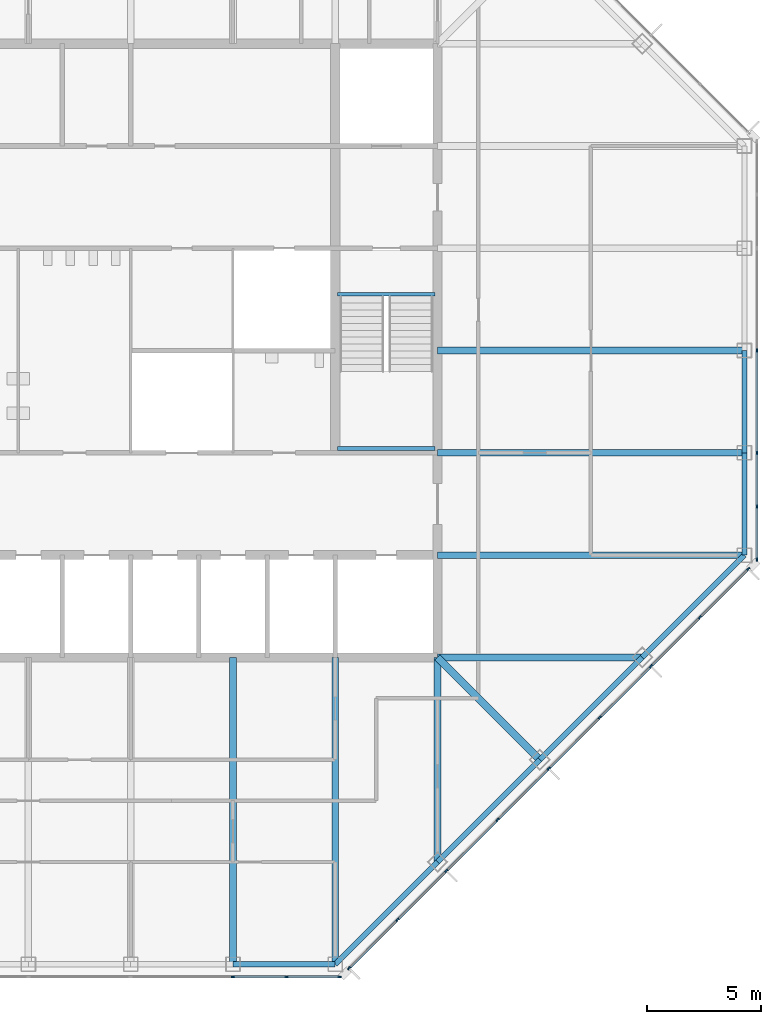
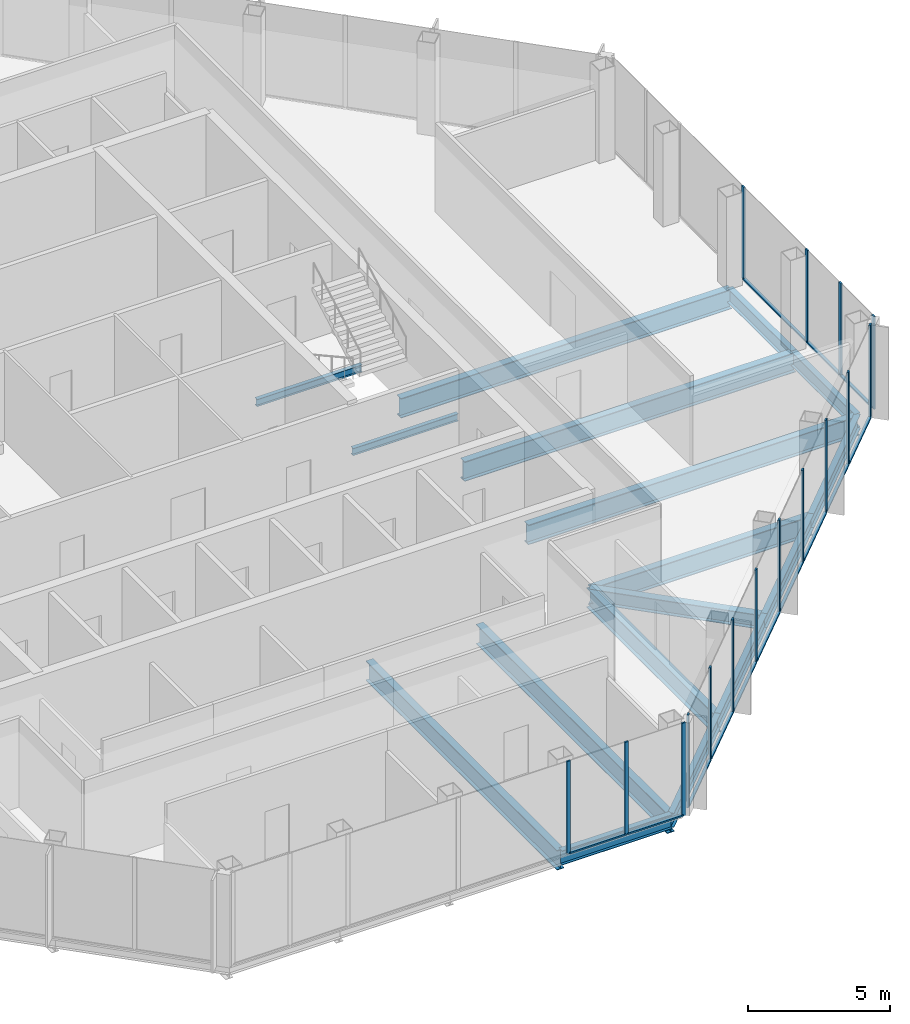
# One storey, part 4 of 14: 29 members, 17 beams, 3 elements without a shape of their own.
"""IFC4 building model written with IfcOpenShell, lengths in metres."""

from ifc_helpers import new_model, si_unit, direction, frame, origin, origin_2d, place, context, subcontext, project, spatial, rectangle, i_section, extrude, material, material_profile, profile_set, type_object, element, aggregate, save


model = new_model("IFC4")

# Units and contexts
model_context = context("Model", 3, precision=1e-05, world=origin(), true_north=direction((0.0, 1.0)))
body_context = subcontext(model_context, "Body", "Model", "MODEL_VIEW")
ifc_project = project(units=[si_unit("LENGTHUNIT", "METRE"), si_unit("AREAUNIT", "SQUARE_METRE"), si_unit("VOLUMEUNIT", "CUBIC_METRE"), si_unit("PLANEANGLEUNIT", "RADIAN"), si_unit("MASSUNIT", "GRAM", prefix="KILO")], contexts=[model_context])

# Site, building, storey
site_placement = place(None, origin())
site = spatial("IfcSite", under=ifc_project, at=site_placement, CompositionType="ELEMENT")
building_placement = place(site_placement, origin())
building = spatial("IfcBuilding", under=site, at=building_placement, Name="Corais Broadcast Tower", CompositionType="ELEMENT")
storey_placement = place(building_placement, frame((0.0, 0.0, 230.60009765625)))
storey = spatial("IfcBuildingStorey", under=building, at=storey_placement, Name="L53", CompositionType="ELEMENT", Elevation=230.60009765625)

# Beams
ifc_material_1 = material(Name="Steel ASTM A572 Grade 50", Category="steel")
ifc_material_profile_1 = material_profile(ifc_material_1, i_section(OverallWidth=0.323974609375, OverallDepth=0.611083984375, WebThickness=0.0126953125, FlangeThickness=0.01904296875, at=origin_2d()), Name="W610x155")
ifc_profile_set_1 = profile_set([ifc_material_profile_1], Name="Steel ASTM A572 Grade 50")
beam_type_1 = type_object("IfcBeamType", Name="Corner diagonal W610x155", PredefinedType="BEAM", material=ifc_profile_set_1)
beam_1_placement = place(storey_placement, frame((45.0, 9.0, -0.465576171875), z_axis=(-0.707106781187, 0.707106781187, 0.0), x_axis=(-0.707106781187, -0.707106781187, 0.0)))
element("IfcBeam", 1, at=beam_1_placement, inside=storey, type_object=beam_type_1, Name="B6 C/13 to D/12", PredefinedType="BEAM", context=body_context, shape_type="SweptSolid", body=[
    extrude(i_section(OverallWidth=0.323974609375, OverallDepth=0.611083984375, WebThickness=0.0126953125, FlangeThickness=0.01904296875, at=origin_2d()), origin(), (0.0, 0.0, 1.0), 6.364013671875),
])
ifc_material_2 = material(Name="Steel ASTM A572 Grade 50", Category="steel")
ifc_material_profile_2 = material_profile(ifc_material_2, i_section(OverallWidth=0.2939453125, OverallDepth=0.85107421875, WebThickness=0.01611328125, FlangeThickness=0.02685546875, at=origin_2d()), Name="W840x226")
ifc_profile_set_2 = profile_set([ifc_material_profile_2], Name="Steel ASTM A572 Grade 50")
beam_type_2 = type_object("IfcBeamType", Name="Floor beam W840x226", PredefinedType="BEAM", material=ifc_profile_set_2)
for number, where, z_axis, x_axis, name in (
    (2, (31.5, 0.0, -0.585693359375), (0.0, 1.0, 0.0), (-1.0, 0.0, 0.0), "B1 A/10 to D/10"),
    (3, (36.0, 0.0, -0.585693359375), (0.0, 1.0, 0.0), (-1.0, 0.0, 0.0), "B1 A/11 to D/11"),
):
    element("IfcBeam", number, at=place(storey_placement, frame(where, z_axis=z_axis, x_axis=x_axis)), inside=storey, type_object=beam_type_2, Name=name, PredefinedType="BEAM", context=body_context, shape_type="SweptSolid", body=[
        extrude(i_section(OverallWidth=0.2939453125, OverallDepth=0.85107421875, WebThickness=0.01611328125, FlangeThickness=0.02685546875, at=origin_2d()), origin(), (0.0, 0.0, 1.0), 13.5),
    ])
for number, where, z_axis, x_axis, name in (
    (4, (40.5, 4.5, -0.585693359375), (0.0, 1.0, 0.0), (-1.0, 0.0, 0.0), "B1 B/12 to D/12"),
    (5, (49.5, 13.5, -0.585693359375), (-1.0, 0.0, 0.0), (0.0, -1.0, 0.0), "B1 D/14 to D/12"),
):
    element("IfcBeam", number, at=place(storey_placement, frame(where, z_axis=z_axis, x_axis=x_axis)), inside=storey, type_object=beam_type_2, Name=name, PredefinedType="BEAM", context=body_context, shape_type="SweptSolid", body=[
        extrude(i_section(OverallWidth=0.2939453125, OverallDepth=0.85107421875, WebThickness=0.01611328125, FlangeThickness=0.02685546875, at=origin_2d()), origin(), (0.0, 0.0, 1.0), 9.0),
    ])
for number, where, z_axis, x_axis, name in (
    (6, (54.0, 18.0, -0.585693359375), (-1.0, 0.0, 0.0), (0.0, -1.0, 0.0), "B1 E/15 to E/12"),
    (7, (54.0, 22.5, -0.585693359375), (-1.0, 0.0, 0.0), (0.0, -1.0, 0.0), "B1 F/15 to F/12"),
    (8, (54.0, 27.0, -0.585693359375), (-1.0, 0.0, 0.0), (0.0, -1.0, 0.0), "B1 G/15 to G/12"),
):
    element("IfcBeam", number, at=place(storey_placement, frame(where, z_axis=z_axis, x_axis=x_axis)), inside=storey, type_object=beam_type_2, Name=name, PredefinedType="BEAM", context=body_context, shape_type="SweptSolid", body=[
        extrude(i_section(OverallWidth=0.2939453125, OverallDepth=0.85107421875, WebThickness=0.01611328125, FlangeThickness=0.02685546875, at=origin_2d()), origin(), (0.0, 0.0, 1.0), 13.5),
    ])
ifc_material_3 = material(Name="Steel ASTM A572 Grade 50", Category="steel")
ifc_material_profile_3 = material_profile(ifc_material_3, i_section(OverallWidth=0.1650390625, OverallDepth=0.31005859375, WebThickness=0.005859375, FlangeThickness=0.009765625, at=origin_2d()), Name="W310x38.7")
ifc_profile_set_3 = profile_set([ifc_material_profile_3], Name="Steel ASTM A572 Grade 50")
beam_type_3 = type_object("IfcBeamType", Name="Landing trimmer W310x38.7", PredefinedType="BEAM", material=ifc_profile_set_3)
for number, where, z_axis, x_axis, name in (
    (9, (36.10009765625, 29.47509765625, -0.35498046875), (1.0, 0.0, 0.0), (0.0, 1.0, 0.0), "LT1 stair B landing trimmer L53"),
    (10, (36.10009765625, 22.68994140625, 1.64501953125), (1.0, 0.0, 0.0), (0.0, 1.0, 0.0), "LT1 stair B half landing trimmer L53"),
):
    element("IfcBeam", number, at=place(storey_placement, frame(where, z_axis=z_axis, x_axis=x_axis)), inside=storey, type_object=beam_type_3, Name=name, PredefinedType="BEAM", context=body_context, shape_type="SweptSolid", body=[
        extrude(i_section(OverallWidth=0.1650390625, OverallDepth=0.31005859375, WebThickness=0.005859375, FlangeThickness=0.009765625, at=origin_2d()), origin(), (0.0, 0.0, 1.0), 4.2998046875),
    ])

# Curtain wall, members
ifc_material_4 = material(Name="Aluminium and glass", Category="aluminium")
curtain_wall_type = type_object("IfcCurtainWallType", Name="Unitised fritted curtain wall CW3", PredefinedType="NOTDEFINED", material=ifc_material_4)
curtain_wall_1_placement = place(storey_placement, origin())
curtain_wall_1 = element("IfcCurtainWall", 11, at=curtain_wall_1_placement, inside=storey, type_object=curtain_wall_type, Name="CW3 curtain wall L53 6", PredefinedType="NOTDEFINED")
ifc_material_5 = material(Name="Aluminium 6063-T6", Category="aluminium")
ifc_material_profile_4 = material_profile(ifc_material_5, rectangle(XDim=0.06494140625, YDim=0.159912109375, at=origin_2d()), Name="Mullion CW3 65x160")
ifc_profile_set_4 = profile_set([ifc_material_profile_4], Name="Aluminium 6063-T6")
member_type_1 = type_object("IfcMemberType", Name="Mullion CW3 65x160", PredefinedType="MULLION", material=ifc_profile_set_4)
member_1_placement = place(storey_placement, frame((54.550048828125, 27.0, 0.0), z_axis=(0.0, 0.0, 1.0), x_axis=(1.0, 0.0, 0.0)))
member_1 = element("IfcMember", 12, at=member_1_placement, type_object=member_type_1, Name="CW3 mullion 4", PredefinedType="MULLION", context=body_context, shape_type="SweptSolid", body=[
    extrude(rectangle(XDim=0.06494140625, YDim=0.159912109375, at=origin_2d()), origin(), (0.0, 0.0, 1.0), 4.0),
])
member_2_placement = place(storey_placement, frame((54.550048828125, 22.5, 0.0), z_axis=(0.0, 0.0, 1.0), x_axis=(1.0, 0.0, 0.0)))
member_2 = element("IfcMember", 13, at=member_2_placement, type_object=member_type_1, Name="CW3 mullion 5", PredefinedType="MULLION", context=body_context, shape_type="SweptSolid", body=[
    extrude(rectangle(XDim=0.06494140625, YDim=0.159912109375, at=origin_2d()), origin(), (0.0, 0.0, 1.0), 4.0),
])
member_3_placement = place(storey_placement, frame((54.550048828125, 20.135986328125, 0.0), z_axis=(0.0, 0.0, 1.0), x_axis=(1.0, 0.0, 0.0)))
member_3 = element("IfcMember", 14, at=member_3_placement, type_object=member_type_1, Name="CW3 mullion 6", PredefinedType="MULLION", context=body_context, shape_type="SweptSolid", body=[
    extrude(rectangle(XDim=0.06494140625, YDim=0.159912109375, at=origin_2d()), origin(), (0.0, 0.0, 1.0), 4.0),
])
member_4_placement = place(storey_placement, frame((54.550048828125, 17.8046875, 0.0), z_axis=(0.0, 0.0, 1.0), x_axis=(1.0, 0.0, 0.0)))
member_4 = element("IfcMember", 15, at=member_4_placement, type_object=member_type_1, Name="CW3 mullion 7", PredefinedType="MULLION", context=body_context, shape_type="SweptSolid", body=[
    extrude(rectangle(XDim=0.06494140625, YDim=0.159912109375, at=origin_2d()), origin(), (0.0, 0.0, 1.0), 4.0),
])

curtain_wall_2_placement = place(storey_placement, origin())
curtain_wall_2 = element("IfcCurtainWall", 16, at=curtain_wall_2_placement, inside=storey, type_object=curtain_wall_type, Name="CW3 curtain wall L53 7", PredefinedType="NOTDEFINED")
member_5_placement = place(storey_placement, frame((54.17333984375, 17.3955078125, 0.0), z_axis=(0.0, 0.0, 1.0), x_axis=(0.707106781187, -0.707106781187, 0.0)))
member_5 = element("IfcMember", 17, at=member_5_placement, type_object=member_type_1, Name="CW3 mullion 1", PredefinedType="MULLION", context=body_context, shape_type="SweptSolid", body=[
    extrude(rectangle(XDim=0.06494140625, YDim=0.159912109375, at=origin_2d()), origin(), (0.0, 0.0, 1.0), 4.0),
])
member_6_placement = place(storey_placement, frame((52.042724609375, 15.264892578125, 0.0), z_axis=(0.0, 0.0, 1.0), x_axis=(0.707106781187, -0.707106781187, 0.0)))
member_6 = element("IfcMember", 18, at=member_6_placement, type_object=member_type_1, Name="CW3 mullion 2", PredefinedType="MULLION", context=body_context, shape_type="SweptSolid", body=[
    extrude(rectangle(XDim=0.06494140625, YDim=0.159912109375, at=origin_2d()), origin(), (0.0, 0.0, 1.0), 4.0),
])
member_7_placement = place(storey_placement, frame((49.888916015625, 13.111083984375, 0.0), z_axis=(0.0, 0.0, 1.0), x_axis=(0.707106781187, -0.707106781187, 0.0)))
member_7 = element("IfcMember", 19, at=member_7_placement, type_object=member_type_1, Name="CW3 mullion 3", PredefinedType="MULLION", context=body_context, shape_type="SweptSolid", body=[
    extrude(rectangle(XDim=0.06494140625, YDim=0.159912109375, at=origin_2d()), origin(), (0.0, 0.0, 1.0), 4.0),
])
member_8_placement = place(storey_placement, frame((47.638916015625, 10.861083984375, 0.0), z_axis=(0.0, 0.0, 1.0), x_axis=(0.707106781187, -0.707106781187, 0.0)))
member_8 = element("IfcMember", 20, at=member_8_placement, type_object=member_type_1, Name="CW3 mullion 4", PredefinedType="MULLION", context=body_context, shape_type="SweptSolid", body=[
    extrude(rectangle(XDim=0.06494140625, YDim=0.159912109375, at=origin_2d()), origin(), (0.0, 0.0, 1.0), 4.0),
])
member_9_placement = place(storey_placement, frame((45.388916015625, 8.611083984375, 0.0), z_axis=(0.0, 0.0, 1.0), x_axis=(0.707106781187, -0.707106781187, 0.0)))
member_9 = element("IfcMember", 21, at=member_9_placement, type_object=member_type_1, Name="CW3 mullion 5", PredefinedType="MULLION", context=body_context, shape_type="SweptSolid", body=[
    extrude(rectangle(XDim=0.06494140625, YDim=0.159912109375, at=origin_2d()), origin(), (0.0, 0.0, 1.0), 4.0),
])
member_10_placement = place(storey_placement, frame((43.138916015625, 6.361083984375, 0.0), z_axis=(0.0, 0.0, 1.0), x_axis=(0.707106781187, -0.707106781187, 0.0)))
member_10 = element("IfcMember", 22, at=member_10_placement, type_object=member_type_1, Name="CW3 mullion 6", PredefinedType="MULLION", context=body_context, shape_type="SweptSolid", body=[
    extrude(rectangle(XDim=0.06494140625, YDim=0.159912109375, at=origin_2d()), origin(), (0.0, 0.0, 1.0), 4.0),
])
member_11_placement = place(storey_placement, frame((40.888916015625, 4.111083984375, 0.0), z_axis=(0.0, 0.0, 1.0), x_axis=(0.707106781187, -0.707106781187, 0.0)))
member_11 = element("IfcMember", 23, at=member_11_placement, type_object=member_type_1, Name="CW3 mullion 7", PredefinedType="MULLION", context=body_context, shape_type="SweptSolid", body=[
    extrude(rectangle(XDim=0.06494140625, YDim=0.159912109375, at=origin_2d()), origin(), (0.0, 0.0, 1.0), 4.0),
])
member_12_placement = place(storey_placement, frame((38.735107421875, 1.957275390625, 0.0), z_axis=(0.0, 0.0, 1.0), x_axis=(0.707106781187, -0.707106781187, 0.0)))
member_12 = element("IfcMember", 24, at=member_12_placement, type_object=member_type_1, Name="CW3 mullion 8", PredefinedType="MULLION", context=body_context, shape_type="SweptSolid", body=[
    extrude(rectangle(XDim=0.06494140625, YDim=0.159912109375, at=origin_2d()), origin(), (0.0, 0.0, 1.0), 4.0),
])
member_13_placement = place(storey_placement, frame((36.6044921875, -0.17333984375, 0.0), z_axis=(0.0, 0.0, 1.0), x_axis=(0.707106781187, -0.707106781187, 0.0)))
member_13 = element("IfcMember", 25, at=member_13_placement, type_object=member_type_1, Name="CW3 mullion 9", PredefinedType="MULLION", context=body_context, shape_type="SweptSolid", body=[
    extrude(rectangle(XDim=0.06494140625, YDim=0.159912109375, at=origin_2d()), origin(), (0.0, 0.0, 1.0), 4.0),
])

curtain_wall_3_placement = place(storey_placement, origin())
curtain_wall_3 = element("IfcCurtainWall", 26, at=curtain_wall_3_placement, inside=storey, type_object=curtain_wall_type, Name="CW3 curtain wall L53 8", PredefinedType="NOTDEFINED")
member_14_placement = place(storey_placement, frame((36.1953125, -0.550048828125, 0.0), z_axis=(0.0, 0.0, 1.0), x_axis=(0.0, -1.0, 0.0)))
member_14 = element("IfcMember", 27, at=member_14_placement, type_object=member_type_1, Name="CW3 mullion 1", PredefinedType="MULLION", context=body_context, shape_type="SweptSolid", body=[
    extrude(rectangle(XDim=0.06494140625, YDim=0.159912109375, at=origin_2d()), origin(), (0.0, 0.0, 1.0), 4.0),
])
member_15_placement = place(storey_placement, frame((33.864013671875, -0.550048828125, 0.0), z_axis=(0.0, 0.0, 1.0), x_axis=(0.0, -1.0, 0.0)))
member_15 = element("IfcMember", 28, at=member_15_placement, type_object=member_type_1, Name="CW3 mullion 2", PredefinedType="MULLION", context=body_context, shape_type="SweptSolid", body=[
    extrude(rectangle(XDim=0.06494140625, YDim=0.159912109375, at=origin_2d()), origin(), (0.0, 0.0, 1.0), 4.0),
])
member_16_placement = place(storey_placement, frame((31.5, -0.550048828125, 0.0), z_axis=(0.0, 0.0, 1.0), x_axis=(0.0, -1.0, 0.0)))
member_16 = element("IfcMember", 29, at=member_16_placement, type_object=member_type_1, Name="CW3 mullion 3", PredefinedType="MULLION", context=body_context, shape_type="SweptSolid", body=[
    extrude(rectangle(XDim=0.06494140625, YDim=0.159912109375, at=origin_2d()), origin(), (0.0, 0.0, 1.0), 4.0),
])

# Beams
ifc_material_6 = material(Name="Steel ASTM A572 Grade 50", Category="steel")
ifc_material_profile_5 = material_profile(ifc_material_6, i_section(OverallWidth=0.22998046875, OverallDepth=0.616943359375, WebThickness=0.01318359375, FlangeThickness=0.022216796875, at=origin_2d()), Name="W610x140")
ifc_profile_set_5 = profile_set([ifc_material_profile_5], Name="Steel ASTM A572 Grade 50")
beam_type_4 = type_object("IfcBeamType", Name="Spandrel W610x140", PredefinedType="BEAM", material=ifc_profile_set_5)
beam_2_placement = place(storey_placement, frame((31.5, 0.0, -0.468505859375), z_axis=(1.0, 0.0, 0.0), x_axis=(0.0, 1.0, 0.0)))
element("IfcBeam", 30, at=beam_2_placement, inside=storey, type_object=beam_type_4, Name="SB3 A/10 to A/11", PredefinedType="BEAM", context=body_context, shape_type="SweptSolid", body=[
    extrude(i_section(OverallWidth=0.22998046875, OverallDepth=0.616943359375, WebThickness=0.01318359375, FlangeThickness=0.022216796875, at=origin_2d()), origin(), (0.0, 0.0, 1.0), 4.5),
])
for number, where, z_axis, x_axis, name in (
    (31, (36.0, 0.0, -0.468505859375), (0.707106781187, 0.707106781187, 0.0), (-0.707106781187, 0.707106781187, 0.0), "SB3 A/11 to B/12"),
    (32, (40.5, 4.5, -0.468505859375), (0.707106781187, 0.707106781187, 0.0), (-0.707106781187, 0.707106781187, 0.0), "SB3 B/12 to C/13"),
    (33, (45.0, 9.0, -0.468505859375), (0.707106781187, 0.707106781187, 0.0), (-0.707106781187, 0.707106781187, 0.0), "SB3 C/13 to D/14"),
    (34, (49.5, 13.5, -0.468505859375), (0.707106781187, 0.707106781187, 0.0), (-0.707106781187, 0.707106781187, 0.0), "SB3 D/14 to E/15"),
):
    element("IfcBeam", number, at=place(storey_placement, frame(where, z_axis=z_axis, x_axis=x_axis)), inside=storey, type_object=beam_type_4, Name=name, PredefinedType="BEAM", context=body_context, shape_type="SweptSolid", body=[
        extrude(i_section(OverallWidth=0.22998046875, OverallDepth=0.616943359375, WebThickness=0.01318359375, FlangeThickness=0.022216796875, at=origin_2d()), origin(), (0.0, 0.0, 1.0), 6.364013671875),
    ])
for number, where, z_axis, x_axis, name in (
    (35, (54.0, 18.0, -0.468505859375), (0.0, 1.0, 0.0), (-1.0, 0.0, 0.0), "SB3 E/15 to F/15"),
    (36, (54.0, 22.5, -0.468505859375), (0.0, 1.0, 0.0), (-1.0, 0.0, 0.0), "SB3 F/15 to G/15"),
):
    element("IfcBeam", number, at=place(storey_placement, frame(where, z_axis=z_axis, x_axis=x_axis)), inside=storey, type_object=beam_type_4, Name=name, PredefinedType="BEAM", context=body_context, shape_type="SweptSolid", body=[
        extrude(i_section(OverallWidth=0.22998046875, OverallDepth=0.616943359375, WebThickness=0.01318359375, FlangeThickness=0.022216796875, at=origin_2d()), origin(), (0.0, 0.0, 1.0), 4.5),
    ])

# Member
ifc_material_7 = material(Name="Aluminium 6063-T6", Category="aluminium")
ifc_material_profile_6 = material_profile(ifc_material_7, rectangle(XDim=0.1201171875, YDim=0.06494140625, at=origin_2d()), Name="Transom CW3 65x120")
ifc_profile_set_6 = profile_set([ifc_material_profile_6], Name="Aluminium 6063-T6")
member_type_2 = type_object("IfcMemberType", Name="Transom CW3 65x120", PredefinedType="USERDEFINED", material=ifc_profile_set_6)
member_17_placement = place(storey_placement, frame((54.550048828125, 26.967529296875, 0.032470703125), z_axis=(0.0, -1.0, 0.0), x_axis=(1.0, 0.0, 0.0)))
member_17 = element("IfcMember", 37, at=member_17_placement, type_object=member_type_2, Name="CW3 transom 4.1", ObjectType="TRANSOM", PredefinedType="USERDEFINED", context=body_context, shape_type="SweptSolid", body=[
    extrude(rectangle(XDim=0.1201171875, YDim=0.06494140625, at=origin_2d()), origin(), (0.0, 0.0, 1.0), 4.43505859375),
])

member_18_placement = place(storey_placement, frame((54.550048828125, 22.467529296875, 0.032470703125), z_axis=(0.0, -1.0, 0.0), x_axis=(1.0, 0.0, 0.0)))
member_18 = element("IfcMember", 38, at=member_18_placement, type_object=member_type_2, Name="CW3 transom 5.1", ObjectType="TRANSOM", PredefinedType="USERDEFINED", context=body_context, shape_type="SweptSolid", body=[
    extrude(rectangle(XDim=0.1201171875, YDim=0.06494140625, at=origin_2d()), origin(), (0.0, 0.0, 1.0), 2.298828125),
])

member_19_placement = place(storey_placement, frame((54.550048828125, 20.103515625, 0.032470703125), z_axis=(0.0, -1.0, 0.0), x_axis=(1.0, 0.0, 0.0)))
member_19 = element("IfcMember", 39, at=member_19_placement, type_object=member_type_2, Name="CW3 transom 6.1", ObjectType="TRANSOM", PredefinedType="USERDEFINED", context=body_context, shape_type="SweptSolid", body=[
    extrude(rectangle(XDim=0.1201171875, YDim=0.06494140625, at=origin_2d()), origin(), (0.0, 0.0, 1.0), 2.266357421875),
])

aggregate(curtain_wall_1, [member_1, member_2, member_3, member_4, member_17, member_18, member_19])

member_20_placement = place(storey_placement, frame((54.150390625, 17.37255859375, 0.032470703125), z_axis=(-0.707106781187, -0.707106781187, 0.0), x_axis=(0.707106781187, -0.707106781187, 0.0)))
member_20 = element("IfcMember", 40, at=member_20_placement, type_object=member_type_2, Name="CW3 transom 1.1", ObjectType="TRANSOM", PredefinedType="USERDEFINED", context=body_context, shape_type="SweptSolid", body=[
    extrude(rectangle(XDim=0.1201171875, YDim=0.06494140625, at=origin_2d()), origin(), (0.0, 0.0, 1.0), 2.9482421875),
])

member_21_placement = place(storey_placement, frame((52.019775390625, 15.241943359375, 0.032470703125), z_axis=(-0.707106781187, -0.707106781187, 0.0), x_axis=(0.707106781187, -0.707106781187, 0.0)))
member_21 = element("IfcMember", 41, at=member_21_placement, type_object=member_type_2, Name="CW3 transom 2.1", ObjectType="TRANSOM", PredefinedType="USERDEFINED", context=body_context, shape_type="SweptSolid", body=[
    extrude(rectangle(XDim=0.1201171875, YDim=0.06494140625, at=origin_2d()), origin(), (0.0, 0.0, 1.0), 2.98095703125),
])

member_22_placement = place(storey_placement, frame((49.865966796875, 13.088134765625, 0.032470703125), z_axis=(-0.707106781187, -0.707106781187, 0.0), x_axis=(0.707106781187, -0.707106781187, 0.0)))
member_22 = element("IfcMember", 42, at=member_22_placement, type_object=member_type_2, Name="CW3 transom 3.1", ObjectType="TRANSOM", PredefinedType="USERDEFINED", context=body_context, shape_type="SweptSolid", body=[
    extrude(rectangle(XDim=0.1201171875, YDim=0.06494140625, at=origin_2d()), origin(), (0.0, 0.0, 1.0), 3.1171875),
])

member_23_placement = place(storey_placement, frame((47.615966796875, 10.838134765625, 0.032470703125), z_axis=(-0.707106781187, -0.707106781187, 0.0), x_axis=(0.707106781187, -0.707106781187, 0.0)))
member_23 = element("IfcMember", 43, at=member_23_placement, type_object=member_type_2, Name="CW3 transom 4.1", ObjectType="TRANSOM", PredefinedType="USERDEFINED", context=body_context, shape_type="SweptSolid", body=[
    extrude(rectangle(XDim=0.1201171875, YDim=0.06494140625, at=origin_2d()), origin(), (0.0, 0.0, 1.0), 3.1171875),
])

member_24_placement = place(storey_placement, frame((45.365966796875, 8.588134765625, 0.032470703125), z_axis=(-0.707106781187, -0.707106781187, 0.0), x_axis=(0.707106781187, -0.707106781187, 0.0)))
member_24 = element("IfcMember", 44, at=member_24_placement, type_object=member_type_2, Name="CW3 transom 5.1", ObjectType="TRANSOM", PredefinedType="USERDEFINED", context=body_context, shape_type="SweptSolid", body=[
    extrude(rectangle(XDim=0.1201171875, YDim=0.06494140625, at=origin_2d()), origin(), (0.0, 0.0, 1.0), 3.1171875),
])

member_25_placement = place(storey_placement, frame((43.115966796875, 6.338134765625, 0.032470703125), z_axis=(-0.707106781187, -0.707106781187, 0.0), x_axis=(0.707106781187, -0.707106781187, 0.0)))
member_25 = element("IfcMember", 45, at=member_25_placement, type_object=member_type_2, Name="CW3 transom 6.1", ObjectType="TRANSOM", PredefinedType="USERDEFINED", context=body_context, shape_type="SweptSolid", body=[
    extrude(rectangle(XDim=0.1201171875, YDim=0.06494140625, at=origin_2d()), origin(), (0.0, 0.0, 1.0), 3.1171875),
])

member_26_placement = place(storey_placement, frame((40.865966796875, 4.088134765625, 0.032470703125), z_axis=(-0.70714773134, -0.707065828661, 0.0), x_axis=(0.707065828661, -0.70714773134, 0.0)))
member_26 = element("IfcMember", 46, at=member_26_placement, type_object=member_type_2, Name="CW3 transom 7.1", ObjectType="TRANSOM", PredefinedType="USERDEFINED", context=body_context, shape_type="SweptSolid", body=[
    extrude(rectangle(XDim=0.1201171875, YDim=0.06494140625, at=origin_2d()), origin(), (0.0, 0.0, 1.0), 2.98095703125),
])

member_27_placement = place(storey_placement, frame((38.712158203125, 1.934326171875, 0.032470703125), z_axis=(-0.707106781187, -0.707106781187, 0.0), x_axis=(0.707106781187, -0.707106781187, 0.0)))
member_27 = element("IfcMember", 47, at=member_27_placement, type_object=member_type_2, Name="CW3 transom 8.1", ObjectType="TRANSOM", PredefinedType="USERDEFINED", context=body_context, shape_type="SweptSolid", body=[
    extrude(rectangle(XDim=0.1201171875, YDim=0.06494140625, at=origin_2d()), origin(), (0.0, 0.0, 1.0), 2.9482421875),
])

aggregate(curtain_wall_2, [member_5, member_6, member_7, member_8, member_9, member_10, member_11, member_12, member_13, member_20, member_21, member_22, member_23, member_24, member_25, member_26, member_27])

member_28_placement = place(storey_placement, frame((36.162841796875, -0.550048828125, 0.032470703125), z_axis=(-1.0, 0.0, 0.0), x_axis=(0.0, -1.0, 0.0)))
member_28 = element("IfcMember", 48, at=member_28_placement, type_object=member_type_2, Name="CW3 transom 1.1", ObjectType="TRANSOM", PredefinedType="USERDEFINED", context=body_context, shape_type="SweptSolid", body=[
    extrude(rectangle(XDim=0.1201171875, YDim=0.06494140625, at=origin_2d()), origin(), (0.0, 0.0, 1.0), 2.266357421875),
])

member_29_placement = place(storey_placement, frame((33.831298828125, -0.550048828125, 0.032470703125), z_axis=(-1.0, 0.0, 0.0), x_axis=(0.0, -1.0, 0.0)))
member_29 = element("IfcMember", 49, at=member_29_placement, type_object=member_type_2, Name="CW3 transom 2.1", ObjectType="TRANSOM", PredefinedType="USERDEFINED", context=body_context, shape_type="SweptSolid", body=[
    extrude(rectangle(XDim=0.1201171875, YDim=0.06494140625, at=origin_2d()), origin(), (0.0, 0.0, 1.0), 2.298828125),
])

aggregate(curtain_wall_3, [member_14, member_15, member_16, member_28, member_29])

save(model, "model.ifc")
